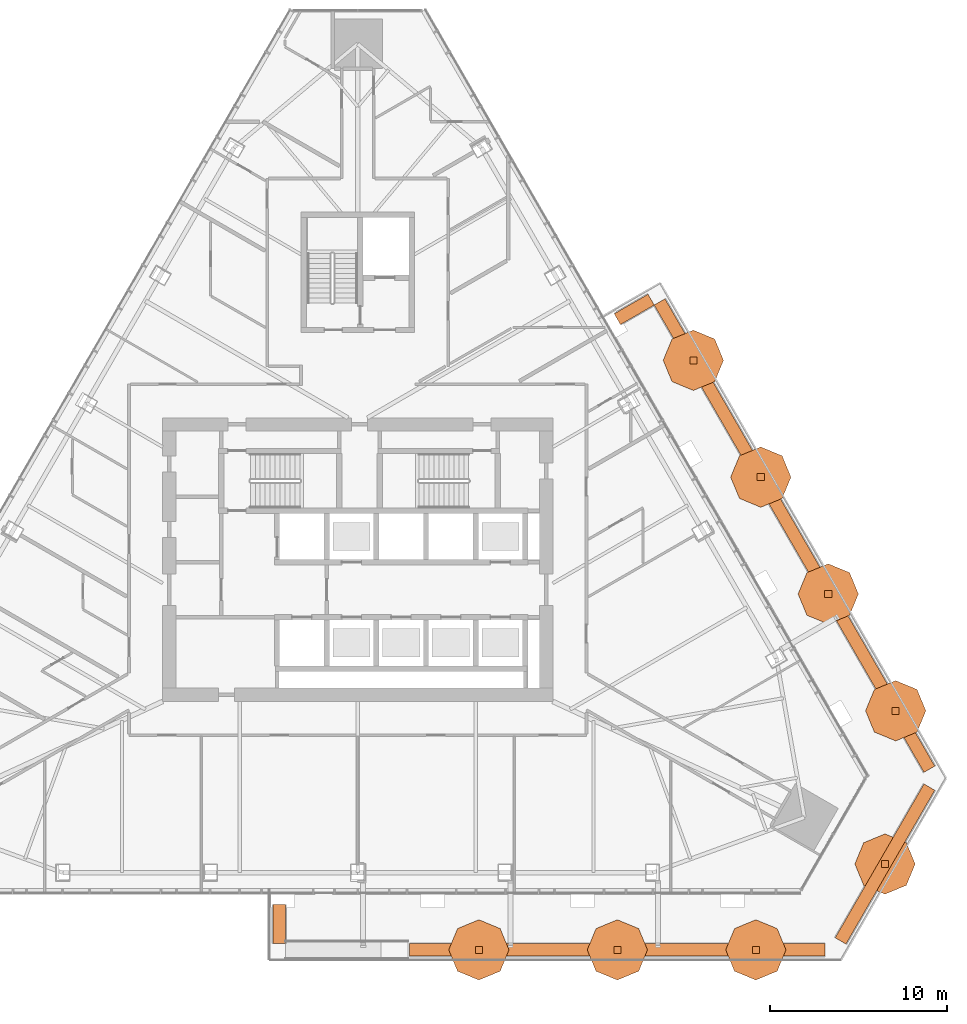
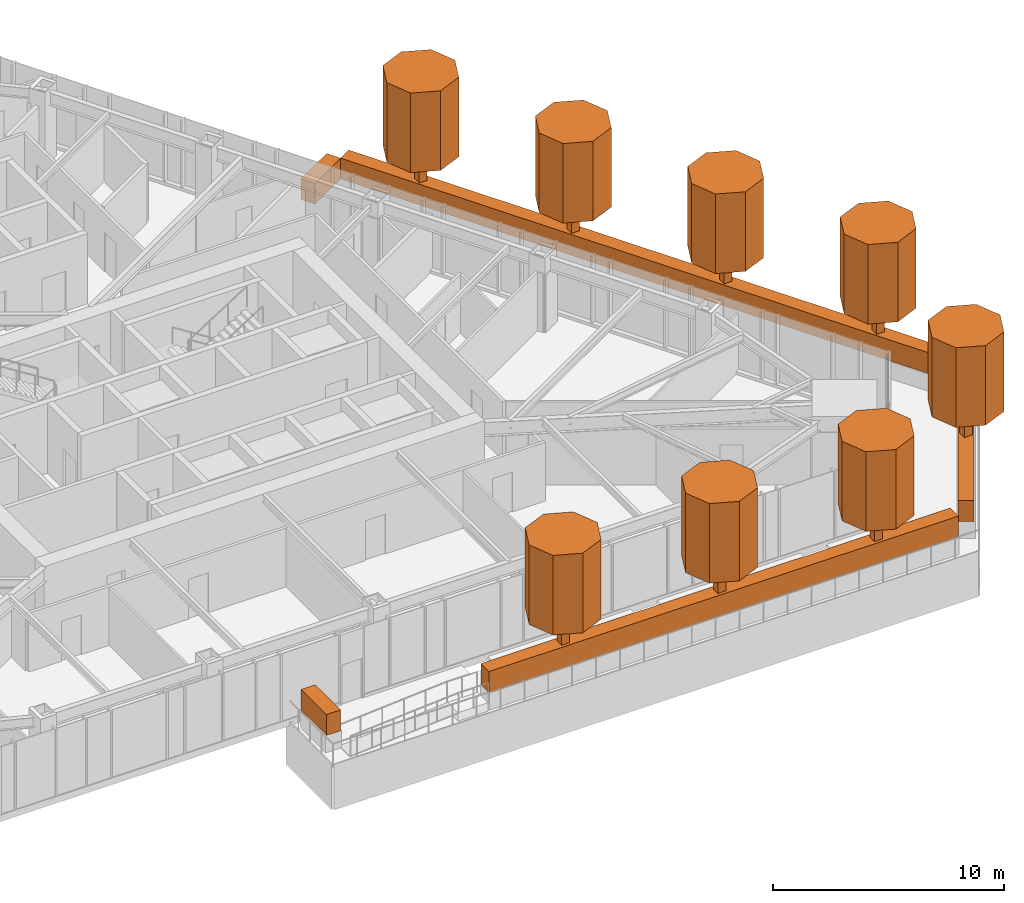
# One storey, part 18 of 18: 21 geographic elements.
"""IFC4 building model written with IfcOpenShell, lengths in metres."""

from ifc_helpers import new_model, si_unit, direction, frame, origin, origin_2d, place, context, subcontext, project, spatial, polyline, rectangle, outline, extrude, material, type_object, element, save


model = new_model("IFC4")

# Units and contexts
model_context = context("Model", 3, precision=1e-05, world=origin(), true_north=direction((0.0, 1.0)))
body_context = subcontext(model_context, "Body", "Model", "MODEL_VIEW")
ifc_project = project(units=[si_unit("LENGTHUNIT", "METRE"), si_unit("AREAUNIT", "SQUARE_METRE"), si_unit("VOLUMEUNIT", "CUBIC_METRE"), si_unit("PLANEANGLEUNIT", "RADIAN"), si_unit("MASSUNIT", "GRAM", prefix="KILO")], contexts=[model_context])

# Site, building, storey
site_placement = place(None, origin())
site = spatial("IfcSite", under=ifc_project, at=site_placement, CompositionType="ELEMENT")
building_placement = place(site_placement, origin())
building = spatial("IfcBuilding", under=site, at=building_placement, Name="Firuza Gate Tower and Library", CompositionType="ELEMENT")
storey_placement = place(building_placement, frame((0.0, 0.0, 226.0)))
storey = spatial("IfcBuildingStorey", under=building, at=storey_placement, Name="L53", CompositionType="ELEMENT", Elevation=226.0)

# Geographic elements
ifc_material_1 = material(Name="Foliage")
geographic_element_type_1 = type_object("IfcGeographicElementType", Name="Planted hedge", PredefinedType="USERDEFINED", material=ifc_material_1)
geographic_element_1_placement = place(storey_placement, frame((70.575927734375, 54.4365234375, 0.89990234375), z_axis=(0.0, 0.0, 1.0), x_axis=(0.0, -1.0, 0.0)))
element("IfcGeographicElement", 1, at=geographic_element_1_placement, inside=storey, type_object=geographic_element_type_1, Name="Planted hedge", ObjectType="HEDGE", PredefinedType="USERDEFINED", context=body_context, shape_type="SweptSolid", body=[
    extrude(rectangle(XDim=2.199951171875, YDim=0.699951171875, at=origin_2d()), origin(), (0.0, 0.0, 1.0), 1.10009765625),
])
placement_1 = place(storey_placement, frame((89.64404296875, 52.986572265625, 0.89990234375), z_axis=(0.0, 0.0, 1.0), x_axis=(1.0, 0.0, 0.0)))
element("IfcGeographicElement", 2, at=placement_1, inside=storey, type_object=geographic_element_type_1, Name="Planted hedge", ObjectType="HEDGE", PredefinedType="USERDEFINED", context=body_context, shape_type="SweptSolid", body=[
    extrude(rectangle(XDim=23.436279296875, YDim=0.699951171875, at=origin_2d()), origin(), (0.0, 0.0, 1.0), 1.10009765625),
])
geographic_element_3_placement = place(storey_placement, frame((104.740478515625, 57.829345703125, 0.89990234375), z_axis=(0.0, 0.0, 1.0), x_axis=(0.5, 0.866025403784, 0.0)))
element("IfcGeographicElement", 3, at=geographic_element_3_placement, inside=storey, type_object=geographic_element_type_1, Name="Planted hedge", ObjectType="HEDGE", PredefinedType="USERDEFINED", context=body_context, shape_type="SweptSolid", body=[
    extrude(rectangle(XDim=10.018798828125, YDim=0.699951171875, at=origin_2d()), origin(), (0.0, 0.0, 1.0), 1.10009765625),
])
geographic_element_4_placement = place(storey_placement, frame((99.63623046875, 76.355712890625, 0.89990234375), z_axis=(0.0, 0.0, 1.0), x_axis=(-0.5, 0.866025403784, 0.0)))
element("IfcGeographicElement", 4, at=geographic_element_4_placement, inside=storey, type_object=geographic_element_type_1, Name="Planted hedge", ObjectType="HEDGE", PredefinedType="USERDEFINED", context=body_context, shape_type="SweptSolid", body=[
    extrude(rectangle(XDim=30.436279296875, YDim=0.699951171875, at=origin_2d()), origin(), (0.0, 0.0, 1.0), 1.10009765625),
])
geographic_element_5_placement = place(storey_placement, frame((90.596435546875, 89.113037109375, 0.89990234375), z_axis=(0.0, 0.0, 1.0), x_axis=(-0.866025403784, -0.5, 0.0)))
element("IfcGeographicElement", 5, at=geographic_element_5_placement, inside=storey, type_object=geographic_element_type_1, Name="Planted hedge", ObjectType="HEDGE", PredefinedType="USERDEFINED", context=body_context, shape_type="SweptSolid", body=[
    extrude(rectangle(XDim=2.199951171875, YDim=0.699951171875, at=origin_2d()), origin(), (0.0, 0.0, 1.0), 1.10009765625),
])
ifc_material_2 = material(Name="Foliage")
geographic_element_type_2 = type_object("IfcGeographicElementType", Name="Planted tree canopy", PredefinedType="USERDEFINED", material=ifc_material_2)
placement_2 = place(storey_placement, frame((0.0, 0.0, 3.5)))
element("IfcGeographicElement", 6, at=placement_2, inside=storey, type_object=geographic_element_type_2, Name="Tree canopy", ObjectType="TREE CANOPY", PredefinedType="USERDEFINED", context=body_context, shape_type="SweptSolid", body=[
    extrude(outline(polyline([(83.531982421875, 52.986572265625), (83.0341796875, 54.188720703125), (81.83203125, 54.6865234375), (80.6298828125, 54.188720703125), (80.132080078125, 52.986572265625), (80.6298828125, 51.784423828125), (81.83203125, 51.28662109375), (83.0341796875, 51.784423828125), (83.531982421875, 52.986572265625)])), origin(), (0.0, 0.0, 1.0), 4.199951171875),
])
element("IfcGeographicElement", 7, at=placement_2, inside=storey, type_object=geographic_element_type_2, Name="Tree canopy", ObjectType="TREE CANOPY", PredefinedType="USERDEFINED", context=body_context, shape_type="SweptSolid", body=[
    extrude(outline(polyline([(91.343994140625, 52.986572265625), (90.84619140625, 54.188720703125), (89.64404296875, 54.6865234375), (88.44189453125, 54.188720703125), (87.944091796875, 52.986572265625), (88.44189453125, 51.784423828125), (89.64404296875, 51.28662109375), (90.84619140625, 51.784423828125), (91.343994140625, 52.986572265625)])), origin(), (0.0, 0.0, 1.0), 4.199951171875),
])
element("IfcGeographicElement", 8, at=placement_2, inside=storey, type_object=geographic_element_type_2, Name="Tree canopy", ObjectType="TREE CANOPY", PredefinedType="USERDEFINED", context=body_context, shape_type="SweptSolid", body=[
    extrude(outline(polyline([(99.15625, 52.986572265625), (98.658203125, 54.188720703125), (97.4560546875, 54.6865234375), (96.254150390625, 54.188720703125), (95.756103515625, 52.986572265625), (96.254150390625, 51.784423828125), (97.4560546875, 51.28662109375), (98.658203125, 51.784423828125), (99.15625, 52.986572265625)])), origin(), (0.0, 0.0, 1.0), 4.199951171875),
])
element("IfcGeographicElement", 9, at=placement_2, inside=storey, type_object=geographic_element_type_2, Name="Tree canopy", ObjectType="TREE CANOPY", PredefinedType="USERDEFINED", context=body_context, shape_type="SweptSolid", body=[
    extrude(outline(polyline([(106.440673828125, 57.829345703125), (105.942626953125, 59.03125), (104.740478515625, 59.529296875), (103.53857421875, 59.03125), (103.04052734375, 57.829345703125), (103.53857421875, 56.627197265625), (104.740478515625, 56.12939453125), (105.942626953125, 56.627197265625), (106.440673828125, 57.829345703125)])), origin(), (0.0, 0.0, 1.0), 4.199951171875),
])
element("IfcGeographicElement", 10, at=placement_2, inside=storey, type_object=geographic_element_type_2, Name="Tree canopy", ObjectType="TREE CANOPY", PredefinedType="USERDEFINED", context=body_context, shape_type="SweptSolid", body=[
    extrude(outline(polyline([(107.04296875, 66.47119140625), (106.545166015625, 67.67333984375), (105.343017578125, 68.171142578125), (104.140869140625, 67.67333984375), (103.64306640625, 66.47119140625), (104.140869140625, 65.26904296875), (105.343017578125, 64.771240234375), (106.545166015625, 65.26904296875), (107.04296875, 66.47119140625)])), origin(), (0.0, 0.0, 1.0), 4.199951171875),
])
element("IfcGeographicElement", 11, at=placement_2, inside=storey, type_object=geographic_element_type_2, Name="Tree canopy", ObjectType="TREE CANOPY", PredefinedType="USERDEFINED", context=body_context, shape_type="SweptSolid", body=[
    extrude(outline(polyline([(103.238525390625, 73.060791015625), (102.740478515625, 74.262939453125), (101.53857421875, 74.7607421875), (100.33642578125, 74.262939453125), (99.83837890625, 73.060791015625), (100.33642578125, 71.85888671875), (101.53857421875, 71.36083984375), (102.740478515625, 71.85888671875), (103.238525390625, 73.060791015625)])), origin(), (0.0, 0.0, 1.0), 4.199951171875),
])
element("IfcGeographicElement", 12, at=placement_2, inside=storey, type_object=geographic_element_type_2, Name="Tree canopy", ObjectType="TREE CANOPY", PredefinedType="USERDEFINED", context=body_context, shape_type="SweptSolid", body=[
    extrude(outline(polyline([(99.433837890625, 79.650390625), (98.93603515625, 80.8525390625), (97.73388671875, 81.3505859375), (96.531982421875, 80.8525390625), (96.033935546875, 79.650390625), (96.531982421875, 78.448486328125), (97.73388671875, 77.950439453125), (98.93603515625, 78.448486328125), (99.433837890625, 79.650390625)])), origin(), (0.0, 0.0, 1.0), 4.199951171875),
])
element("IfcGeographicElement", 13, at=placement_2, inside=storey, type_object=geographic_element_type_2, Name="Tree canopy", ObjectType="TREE CANOPY", PredefinedType="USERDEFINED", context=body_context, shape_type="SweptSolid", body=[
    extrude(outline(polyline([(95.62939453125, 86.240234375), (95.131591796875, 87.442138671875), (93.929443359375, 87.940185546875), (92.727294921875, 87.442138671875), (92.2294921875, 86.240234375), (92.727294921875, 85.0380859375), (93.929443359375, 84.5400390625), (95.131591796875, 85.0380859375), (95.62939453125, 86.240234375)])), origin(), (0.0, 0.0, 1.0), 4.199951171875),
])
ifc_material_3 = material(Name="Timber", Category="wood")
geographic_element_type_3 = type_object("IfcGeographicElementType", Name="Planted tree trunk", PredefinedType="USERDEFINED", material=ifc_material_3)
geographic_element_14_placement = place(storey_placement, frame((81.83203125, 52.986572265625, 0.89990234375), z_axis=(0.0, 0.0, 1.0), x_axis=(1.0, 0.0, 0.0)))
element("IfcGeographicElement", 14, at=geographic_element_14_placement, inside=storey, type_object=geographic_element_type_3, Name="Tree trunk", ObjectType="TREE TRUNK", PredefinedType="USERDEFINED", context=body_context, shape_type="SweptSolid", body=[
    extrude(rectangle(XDim=0.39990234375, YDim=0.39990234375, at=origin_2d()), origin(), (0.0, 0.0, 1.0), 2.60009765625),
])
element("IfcGeographicElement", 15, at=placement_1, inside=storey, type_object=geographic_element_type_3, Name="Tree trunk", ObjectType="TREE TRUNK", PredefinedType="USERDEFINED", context=body_context, shape_type="SweptSolid", body=[
    extrude(rectangle(XDim=0.39990234375, YDim=0.39990234375, at=origin_2d()), origin(), (0.0, 0.0, 1.0), 2.60009765625),
])
for number, where, z_axis, x_axis, name in (
    (16, (97.4560546875, 52.986572265625, 0.89990234375), (0.0, 0.0, 1.0), (1.0, 0.0, 0.0), "Tree trunk"),
    (17, (104.740478515625, 57.829345703125, 0.89990234375), (0.0, 0.0, 1.0), (1.0, 0.0, 0.0), "Tree trunk"),
    (18, (105.343017578125, 66.47119140625, 0.89990234375), (0.0, 0.0, 1.0), (1.0, 0.0, 0.0), "Tree trunk"),
    (19, (101.53857421875, 73.060791015625, 0.89990234375), (0.0, 0.0, 1.0), (1.0, 0.0, 0.0), "Tree trunk"),
    (20, (97.73388671875, 79.650390625, 0.89990234375), (0.0, 0.0, 1.0), (1.0, 0.0, 0.0), "Tree trunk"),
    (21, (93.929443359375, 86.240234375, 0.89990234375), (0.0, 0.0, 1.0), (1.0, 0.0, 0.0), "Tree trunk"),
):
    element("IfcGeographicElement", number, at=place(storey_placement, frame(where, z_axis=z_axis, x_axis=x_axis)), inside=storey, type_object=geographic_element_type_3, Name=name, ObjectType="TREE TRUNK", PredefinedType="USERDEFINED", context=body_context, shape_type="SweptSolid", body=[
        extrude(rectangle(XDim=0.39990234375, YDim=0.39990234375, at=origin_2d()), origin(), (0.0, 0.0, 1.0), 2.60009765625),
    ])

save(model, "model.ifc")
